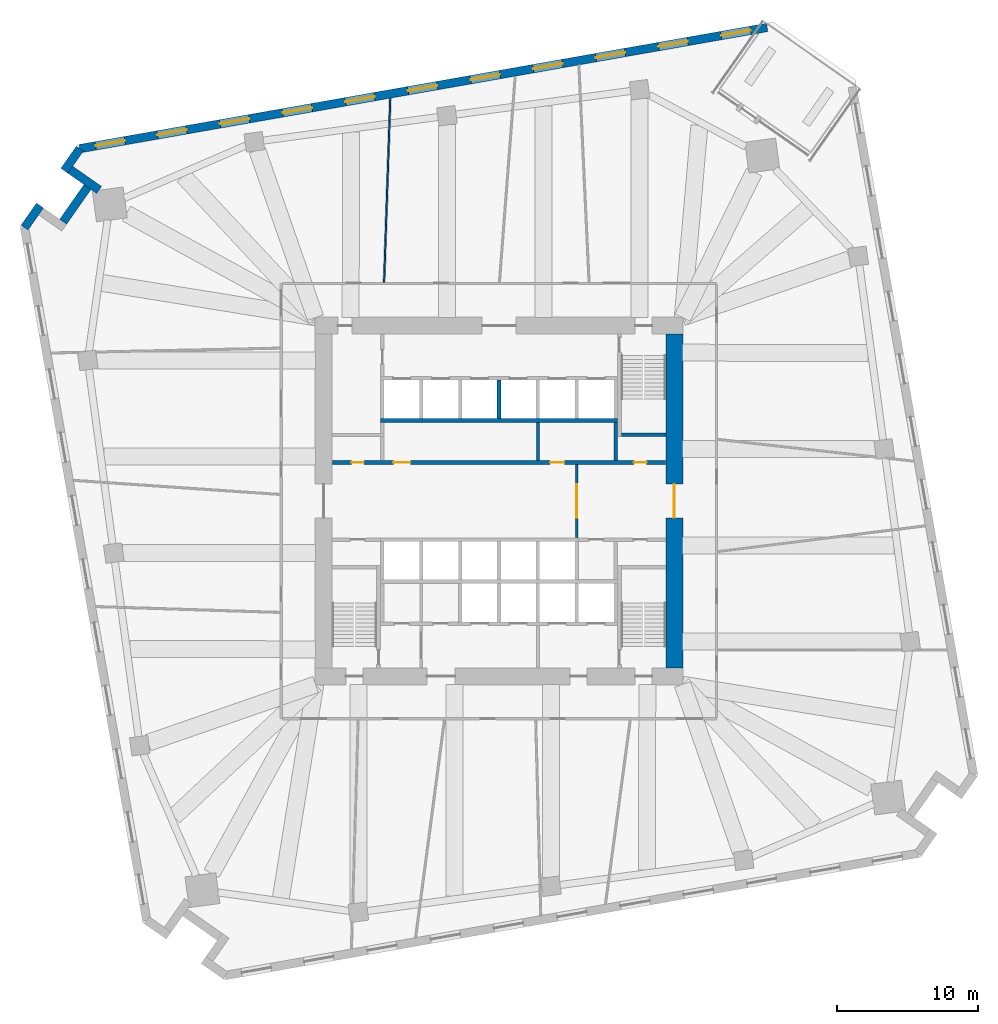
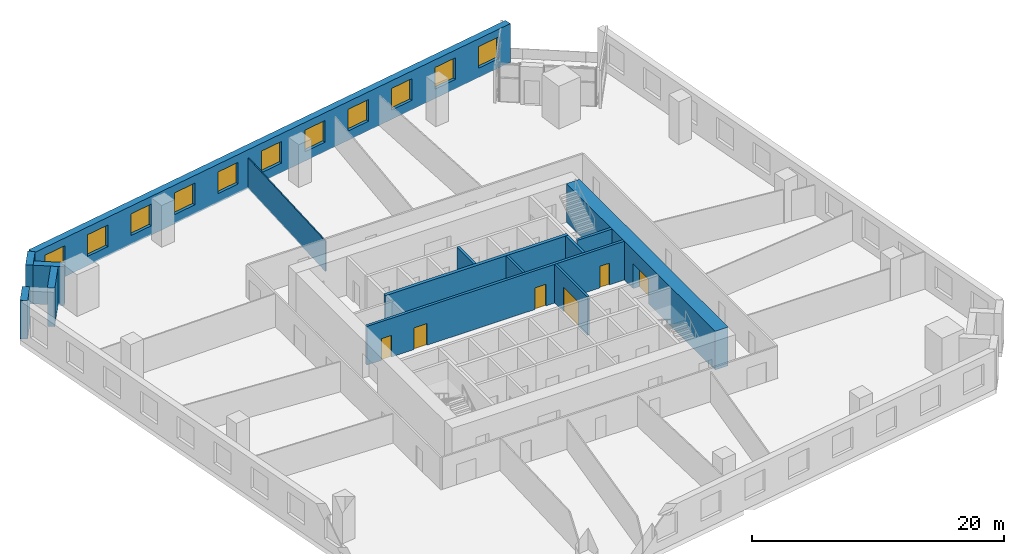
# One storey, part 6 of 10: 14 walls, 11 windows, 6 doors, 17 openings.
"""IFC4 building model written with IfcOpenShell, lengths in metres."""

from ifc_helpers import new_model, si_unit, direction, frame, frame_2d, origin, place, context, subcontext, project, spatial, rectangle, extrude, material, layer, layer_set, type_object, element, fill, save


model = new_model("IFC4")

# Units and contexts
model_context = context("Model", 3, precision=1e-05, world=origin(), true_north=direction((0.0, 1.0)))
body_context = subcontext(model_context, "Body", "Model", "MODEL_VIEW")
ifc_project = project(units=[si_unit("LENGTHUNIT", "METRE"), si_unit("AREAUNIT", "SQUARE_METRE"), si_unit("VOLUMEUNIT", "CUBIC_METRE"), si_unit("PLANEANGLEUNIT", "RADIAN"), si_unit("MASSUNIT", "GRAM", prefix="KILO")], contexts=[model_context])

# Site, building, storey
site_placement = place(None, origin())
site = spatial("IfcSite", under=ifc_project, at=site_placement, CompositionType="ELEMENT")
building_placement = place(site_placement, origin())
building = spatial("IfcBuilding", under=site, at=building_placement, Name="Dilmun Exchange Tower", CompositionType="ELEMENT")
storey_placement = place(building_placement, frame((0.0, 0.0, 63.89990234375)))
storey = spatial("IfcBuildingStorey", under=building, at=storey_placement, Name="L14", CompositionType="ELEMENT", Elevation=63.89990234375)

# Wall, opening, door
ifc_material_1 = material(Name="Concrete C40/50", Category="concrete")
ifc_layer_1 = layer(ifc_material_1, 0.199951171875)
ifc_layer_set_1 = layer_set([ifc_layer_1], Name="Concrete C40/50")
wall_type_1 = type_object("IfcWallType", Name="Core partition wall 200", PredefinedType="PARTITIONING", material=ifc_layer_set_1)
wall_1_placement = place(storey_placement, frame((5.5, -2.594970703125, 0.0), z_axis=(0.0, 0.0, 1.0), x_axis=(0.0, 1.0, 0.0)))
wall_1 = element("IfcWall", 1, at=wall_1_placement, inside=storey, type_object=wall_type_1, Name="L14 core partition wall 09", PredefinedType="PARTITIONING", context=body_context, shape_type="SweptSolid", body=[
    extrude(rectangle(XDim=5.18994140625, YDim=0.199951171875, at=frame_2d((2.594970703125, 0.0))), origin(), (0.0, 0.0, 1.0), 3.75),
])
opening_1_placement = place(wall_1_placement, frame((1.39501953125, 0.0, 0.0)))
opening_1 = element("IfcOpeningElement", 2, at=opening_1_placement, cuts=wall_1, Name="Opening CD1", PredefinedType="OPENING", context=body_context, shape_type="SweptSolid", body=[
    extrude(rectangle(XDim=2.39990234375, YDim=2.39990234375, at=frame_2d((1.199951171875, 1.199951171875))), frame((0.0, 0.10986328125, 0.0), z_axis=(0.0, -1.0, 0.0), x_axis=(1.0, 0.0, 0.0)), (0.0, 0.0, 1.0), 0.219970703125),
])
ifc_material_2 = material(Name="Fire-rated steel door set", Category="steel")
door_type_1 = type_object("IfcDoorType", Name="Core lobby door 2400x2400", OperationType="DOUBLE_DOOR_DOUBLE_SWING", PredefinedType="DOOR", material=ifc_material_2)
door_1_placement = place(opening_1_placement, origin())
door_1 = element("IfcDoor", 3, at=door_1_placement, inside=storey, type_object=door_type_1, Name="L14 door Lift lobby east", OperationType="SINGLE_SWING_LEFT", OverallHeight=2.39990234375, OverallWidth=2.39990234375, PredefinedType="DOOR", context=body_context, shape_type="SweptSolid", body=[
    extrude(rectangle(XDim=2.39990234375, YDim=2.39990234375, at=frame_2d((1.199951171875, 1.199951171875))), frame((0.0, 0.02490234375, 0.0), z_axis=(0.0, -1.0, 0.0), x_axis=(1.0, 0.0, 0.0)), (0.0, 0.0, 1.0), 0.050048828125),
])
fill(opening_1, door_1)

# Wall
wall_2_placement = place(storey_placement, frame((2.75, 2.85498046875, 0.0), z_axis=(0.0, 0.0, 1.0), x_axis=(0.0, 1.0, 0.0)))
element("IfcWall", 4, at=wall_2_placement, inside=storey, type_object=wall_type_1, Name="L14 core partition wall 12", PredefinedType="PARTITIONING", context=body_context, shape_type="SweptSolid", body=[
    extrude(rectangle(XDim=2.68994140625, YDim=0.199951171875, at=frame_2d((1.344970703125, 0.0))), origin(), (0.0, 0.0, 1.0), 3.75),
])

# Wall, openings, doors
ifc_layer_2 = layer(ifc_material_1, 0.25)
ifc_layer_set_2 = layer_set([ifc_layer_2], Name="Concrete C40/50")
wall_type_2 = type_object("IfcWallType", Name="Core partition wall 250", PredefinedType="PARTITIONING", material=ifc_layer_set_2)
wall_3_placement = place(storey_placement, frame((-11.794921875, 2.72509765625, 0.0), z_axis=(0.0, 0.0, 1.0), x_axis=(1.0, 0.0, 0.0)))
wall_3 = element("IfcWall", 5, at=wall_3_placement, inside=storey, type_object=wall_type_2, Name="L14 core partition wall 10", PredefinedType="PARTITIONING", context=body_context, shape_type="SweptSolid", body=[
    extrude(rectangle(XDim=23.58984375, YDim=0.25, at=frame_2d((11.794921875, 0.0))), origin(), (0.0, 0.0, 1.0), 3.75),
])
opening_2_placement = place(wall_3_placement, frame((21.344970703125, 0.0, 0.0)))
opening_2 = element("IfcOpeningElement", 6, at=opening_2_placement, cuts=wall_3, Name="Opening CD6", PredefinedType="OPENING", context=body_context, shape_type="SweptSolid", body=[
    extrude(rectangle(XDim=0.89990234375, YDim=2.10009765625, at=frame_2d((0.449951171875, 1.050048828125))), frame((0.0, 0.135009765625, 0.0), z_axis=(0.0, -1.0, 0.0), x_axis=(1.0, 0.0, 0.0)), (0.0, 0.0, 1.0), 0.27001953125),
])
opening_3_placement = place(wall_3_placement, frame((1.344970703125, 0.0, 0.0)))
opening_3 = element("IfcOpeningElement", 7, at=opening_3_placement, cuts=wall_3, Name="Opening CD6", PredefinedType="OPENING", context=body_context, shape_type="SweptSolid", body=[
    extrude(rectangle(XDim=0.89990234375, YDim=2.10009765625, at=frame_2d((0.449951171875, 1.050048828125))), frame((0.0, 0.135009765625, 0.0), z_axis=(0.0, -1.0, 0.0), x_axis=(1.0, 0.0, 0.0)), (0.0, 0.0, 1.0), 0.27001953125),
])
opening_4_placement = place(wall_3_placement, frame((4.320068359375, 0.0, 0.0)))
opening_4 = element("IfcOpeningElement", 8, at=opening_4_placement, cuts=wall_3, Name="Opening CD3", PredefinedType="OPENING", context=body_context, shape_type="SweptSolid", body=[
    extrude(rectangle(XDim=1.199951171875, YDim=2.10009765625, at=frame_2d((0.60009765625, 1.050048828125))), frame((0.0, 0.135009765625, 0.0), z_axis=(0.0, -1.0, 0.0), x_axis=(1.0, 0.0, 0.0)), (0.0, 0.0, 1.0), 0.27001953125),
])
opening_5_placement = place(wall_3_placement, frame((15.419921875, 0.0, 0.0)))
opening_5 = element("IfcOpeningElement", 9, at=opening_5_placement, cuts=wall_3, Name="Opening CD4", PredefinedType="OPENING", context=body_context, shape_type="SweptSolid", body=[
    extrude(rectangle(XDim=1.0, YDim=2.10009765625, at=frame_2d((0.5, 1.050048828125))), frame((0.0, 0.135009765625, 0.0), z_axis=(0.0, -1.0, 0.0), x_axis=(1.0, 0.0, 0.0)), (0.0, 0.0, 1.0), 0.27001953125),
])
door_type_2 = type_object("IfcDoorType", Name="Core room door 1000x2100", OperationType="SINGLE_SWING_LEFT", PredefinedType="DOOR", material=ifc_material_2)
door_2_placement = place(opening_5_placement, origin())
door_2 = element("IfcDoor", 10, at=door_2_placement, inside=storey, type_object=door_type_2, Name="L14 door Archive store", OperationType="SINGLE_SWING_LEFT", OverallHeight=2.10009765625, OverallWidth=1.0, PredefinedType="DOOR", context=body_context, shape_type="SweptSolid", body=[
    extrude(rectangle(XDim=1.0, YDim=2.10009765625, at=frame_2d((0.5, 1.050048828125))), frame((0.0, 0.02490234375, 0.0), z_axis=(0.0, -1.0, 0.0), x_axis=(1.0, 0.0, 0.0)), (0.0, 0.0, 1.0), 0.050048828125),
])
fill(opening_5, door_2)
door_type_3 = type_object("IfcDoorType", Name="Core room door 900x2100", OperationType="SINGLE_SWING_LEFT", PredefinedType="DOOR", material=ifc_material_2)
door_3_placement = place(opening_2_placement, origin())
door_3 = element("IfcDoor", 11, at=door_3_placement, inside=storey, type_object=door_type_3, Name="L14 door Electrical riser", OperationType="SINGLE_SWING_LEFT", OverallHeight=2.10009765625, OverallWidth=0.89990234375, PredefinedType="DOOR", context=body_context, shape_type="SweptSolid", body=[
    extrude(rectangle(XDim=0.89990234375, YDim=2.10009765625, at=frame_2d((0.449951171875, 1.050048828125))), frame((0.0, 0.02490234375, 0.0), z_axis=(0.0, -1.0, 0.0), x_axis=(1.0, 0.0, 0.0)), (0.0, 0.0, 1.0), 0.050048828125),
])
fill(opening_2, door_3)
door_4_placement = place(opening_3_placement, origin())
door_4 = element("IfcDoor", 12, at=door_4_placement, inside=storey, type_object=door_type_3, Name="L14 door Plumbing riser", OperationType="SINGLE_SWING_LEFT", OverallHeight=2.10009765625, OverallWidth=0.89990234375, PredefinedType="DOOR", context=body_context, shape_type="SweptSolid", body=[
    extrude(rectangle(XDim=0.89990234375, YDim=2.10009765625, at=frame_2d((0.449951171875, 1.050048828125))), frame((0.0, 0.02490234375, 0.0), z_axis=(0.0, -1.0, 0.0), x_axis=(1.0, 0.0, 0.0)), (0.0, 0.0, 1.0), 0.050048828125),
])
fill(opening_3, door_4)
door_type_4 = type_object("IfcDoorType", Name="Stair exit door 1200x2100", OperationType="SINGLE_SWING_LEFT", PredefinedType="DOOR", material=ifc_material_2)
door_5_placement = place(opening_4_placement, origin())
door_5 = element("IfcDoor", 13, at=door_5_placement, inside=storey, type_object=door_type_4, Name="L14 door Tenant meeting suite", OperationType="SINGLE_SWING_LEFT", OverallHeight=2.10009765625, OverallWidth=1.199951171875, PredefinedType="DOOR", context=body_context, shape_type="SweptSolid", body=[
    extrude(rectangle(XDim=1.199951171875, YDim=2.10009765625, at=frame_2d((0.60009765625, 1.050048828125))), frame((0.0, 0.02490234375, 0.0), z_axis=(0.0, -1.0, 0.0), x_axis=(1.0, 0.0, 0.0)), (0.0, 0.0, 1.0), 0.050048828125),
])
fill(opening_4, door_5)

# Wall
wall_4_placement = place(storey_placement, frame((8.25, 2.85498046875, 0.0), z_axis=(0.0, 0.0, 1.0), x_axis=(0.0, 1.0, 0.0)))
element("IfcWall", 14, at=wall_4_placement, inside=storey, type_object=wall_type_2, Name="L14 core partition wall 13", PredefinedType="PARTITIONING", context=body_context, shape_type="SweptSolid", body=[
    extrude(rectangle(XDim=2.68994140625, YDim=0.25, at=frame_2d((1.344970703125, 0.0))), origin(), (0.0, 0.0, 1.0), 3.75),
])

# Wall, opening, door
ifc_material_3 = material(Name="Concrete C80/95", Category="concrete")
ifc_layer_3 = layer(ifc_material_3, 1.199951171875)
ifc_layer_set_3 = layer_set([ifc_layer_3], Name="Concrete C80/95")
wall_type_3 = type_object("IfcWallType", Name="Core shear wall 1200 Concrete C80/95", PredefinedType="SHEAR", material=ifc_layer_set_3)
wall_5_placement = place(storey_placement, frame((12.39990234375, -11.800048828125, 0.0), z_axis=(0.0, 0.0, 1.0), x_axis=(0.0, 1.0, 0.0)))
wall_5 = element("IfcWall", 15, at=wall_5_placement, inside=storey, type_object=wall_type_3, Name="L14 core shear wall E", PredefinedType="SHEAR", context=body_context, shape_type="SweptSolid", body=[
    extrude(rectangle(XDim=23.60009765625, YDim=1.199951171875, at=frame_2d((11.800048828125, 0.0))), origin(), (0.0, 0.0, 1.0), 3.75),
])
opening_6_placement = place(wall_5_placement, frame((10.60009765625, 0.0, 0.0)))
opening_6 = element("IfcOpeningElement", 16, at=opening_6_placement, cuts=wall_5, Name="Opening CD1", PredefinedType="OPENING", context=body_context, shape_type="SweptSolid", body=[
    extrude(rectangle(XDim=2.39990234375, YDim=2.39990234375, at=frame_2d((1.199951171875, 1.199951171875))), frame((0.0, 0.60986328125, 0.0), z_axis=(0.0, -1.0, 0.0), x_axis=(1.0, 0.0, 0.0)), (0.0, 0.0, 1.0), 1.219970703125),
])
door_6_placement = place(opening_6_placement, origin())
door_6 = element("IfcDoor", 17, at=door_6_placement, inside=storey, type_object=door_type_1, Name="L14 door Central lift lobby", OperationType="SINGLE_SWING_LEFT", OverallHeight=2.39990234375, OverallWidth=2.39990234375, PredefinedType="DOOR", context=body_context, shape_type="SweptSolid", body=[
    extrude(rectangle(XDim=2.39990234375, YDim=2.39990234375, at=frame_2d((1.199951171875, 1.199951171875))), frame((0.0, 0.02490234375, 0.0), z_axis=(0.0, -1.0, 0.0), x_axis=(1.0, 0.0, 0.0)), (0.0, 0.0, 1.0), 0.050048828125),
])
fill(opening_6, door_6)

# Walls
ifc_layer_4 = layer(ifc_material_1, 0.300048828125)
ifc_layer_set_4 = layer_set([ifc_layer_4], Name="Concrete C40/50")
wall_type_4 = type_object("IfcWallType", Name="Lift shaft shared wall 300", PredefinedType="SOLIDWALL", material=ifc_layer_set_4)
wall_6_placement = place(storey_placement, frame((-8.375, 5.699951171875, 0.0), z_axis=(0.0, 0.0, 1.0), x_axis=(1.0, 0.0, 0.0)))
element("IfcWall", 18, at=wall_6_placement, inside=storey, type_object=wall_type_4, Name="L14 lift shaft rear wall N", PredefinedType="SOLIDWALL", context=body_context, shape_type="SweptSolid", body=[
    extrude(rectangle(XDim=16.75, YDim=0.300048828125, at=frame_2d((8.375, 0.0))), origin(), (0.0, 0.0, 1.0), 3.75),
])
ifc_layer_5 = layer(ifc_material_1, 0.25)
ifc_layer_set_5 = layer_set([ifc_layer_5], Name="Concrete C40/50")
wall_type_5 = type_object("IfcWallType", Name="Lift shaft wall 250", PredefinedType="SOLIDWALL", material=ifc_layer_set_5)
wall_7_placement = place(storey_placement, frame((0.0, 5.85009765625, 0.0), z_axis=(0.0, 0.0, 1.0), x_axis=(0.0, 1.0, 0.0)))
element("IfcWall", 19, at=wall_7_placement, inside=storey, type_object=wall_type_5, Name="L14 lift shaft divider N23", PredefinedType="SOLIDWALL", context=body_context, shape_type="SweptSolid", body=[
    extrude(rectangle(XDim=2.699951171875, YDim=0.25, at=frame_2d((1.35009765625, 0.0))), origin(), (0.0, 0.0, 1.0), 3.75),
])
ifc_material_4 = material(Name="Partition 100")
ifc_layer_6 = layer(ifc_material_4, 0.10009765625)
ifc_layer_set_6 = layer_set([ifc_layer_6], Name="Partition 100")
wall_type_6 = type_object("IfcWallType", Name="Partition 100", PredefinedType="PARTITIONING", material=ifc_layer_set_6)
wall_8_placement = place(storey_placement, frame((-8.12841796875, 15.476806640625, 0.0), z_axis=(0.0, 0.0, 1.0), x_axis=(0.033530755766, 0.99943768611, 0.0)))
element("IfcWall", 20, at=wall_8_placement, inside=storey, type_object=wall_type_6, Name="Partition", PredefinedType="PARTITIONING", context=body_context, shape_type="SweptSolid", body=[
    extrude(rectangle(XDim=13.02587890625, YDim=0.10009765625, at=frame_2d((6.512939453125, 0.0))), origin(), (0.0, 0.0, 1.0), 2.9501953125),
])

# Wall, openings, windows
ifc_material_5 = material(Name="Precast concrete C50/60", Category="concrete")
ifc_layer_7 = layer(ifc_material_5, 0.60009765625)
ifc_layer_set_7 = layer_set([ifc_layer_7], Name="Precast concrete C50/60")
wall_type_7 = type_object("IfcWallType", Name="Precast stone-clad wall 600", PredefinedType="STANDARD", material=ifc_layer_set_7)
wall_9_placement = place(storey_placement, frame((18.970458984375, 33.503173828125, 0.0), z_axis=(0.0, 0.0, 1.0), x_axis=(-0.984807939945, -0.173647117517, 0.0)))
wall_9 = element("IfcWall", 21, at=wall_9_placement, inside=storey, type_object=wall_type_7, Name="Facade wall L14-03", PredefinedType="STANDARD", context=body_context, shape_type="SweptSolid", body=[
    extrude(rectangle(XDim=49.375732421875, YDim=0.60009765625, at=frame_2d((24.68798828125, 0.0))), origin(), (0.0, 0.0, 1.0), 3.75),
])
opening_7_placement = place(wall_9_placement, frame((1.199951171875, 0.0, 0.89990234375)))
opening_7 = element("IfcOpeningElement", 22, at=opening_7_placement, cuts=wall_9, Name="Opening W210-210", PredefinedType="OPENING", context=body_context, shape_type="SweptSolid", body=[
    extrude(rectangle(XDim=2.10009765625, YDim=2.10009765625, at=frame_2d((1.050048828125, 1.050048828125))), frame((0.0, 0.31005859375, 0.0), z_axis=(0.0, -1.0, 0.0), x_axis=(1.0, 0.0, 0.0)), (0.0, 0.0, 1.0), 0.6201171875),
])
opening_8_placement = place(wall_9_placement, frame((5.699951171875, 0.0, 0.89990234375)))
opening_8 = element("IfcOpeningElement", 23, at=opening_8_placement, cuts=wall_9, Name="Opening W210-210", PredefinedType="OPENING", context=body_context, shape_type="SweptSolid", body=[
    extrude(rectangle(XDim=2.10009765625, YDim=2.10009765625, at=frame_2d((1.050048828125, 1.050048828125))), frame((0.0, 0.31005859375, 0.0), z_axis=(0.0, -1.0, 0.0), x_axis=(1.0, 0.0, 0.0)), (0.0, 0.0, 1.0), 0.6201171875),
])
opening_9_placement = place(wall_9_placement, frame((10.199951171875, 0.0, 0.89990234375)))
opening_9 = element("IfcOpeningElement", 24, at=opening_9_placement, cuts=wall_9, Name="Opening W210-210", PredefinedType="OPENING", context=body_context, shape_type="SweptSolid", body=[
    extrude(rectangle(XDim=2.10009765625, YDim=2.10009765625, at=frame_2d((1.050048828125, 1.050048828125))), frame((0.0, 0.31005859375, 0.0), z_axis=(0.0, -1.0, 0.0), x_axis=(1.0, 0.0, 0.0)), (0.0, 0.0, 1.0), 0.6201171875),
])
opening_10_placement = place(wall_9_placement, frame((14.699951171875, 0.0, 0.89990234375)))
opening_10 = element("IfcOpeningElement", 25, at=opening_10_placement, cuts=wall_9, Name="Opening W210-210", PredefinedType="OPENING", context=body_context, shape_type="SweptSolid", body=[
    extrude(rectangle(XDim=2.10009765625, YDim=2.10009765625, at=frame_2d((1.050048828125, 1.050048828125))), frame((0.0, 0.31005859375, 0.0), z_axis=(0.0, -1.0, 0.0), x_axis=(1.0, 0.0, 0.0)), (0.0, 0.0, 1.0), 0.6201171875),
])
opening_11_placement = place(wall_9_placement, frame((19.199951171875, 0.0, 0.89990234375)))
opening_11 = element("IfcOpeningElement", 26, at=opening_11_placement, cuts=wall_9, Name="Opening W210-210", PredefinedType="OPENING", context=body_context, shape_type="SweptSolid", body=[
    extrude(rectangle(XDim=2.10009765625, YDim=2.10009765625, at=frame_2d((1.050048828125, 1.050048828125))), frame((0.0, 0.31005859375, 0.0), z_axis=(0.0, -1.0, 0.0), x_axis=(1.0, 0.0, 0.0)), (0.0, 0.0, 1.0), 0.6201171875),
])
opening_12_placement = place(wall_9_placement, frame((23.699951171875, 0.0, 0.89990234375)))
opening_12 = element("IfcOpeningElement", 27, at=opening_12_placement, cuts=wall_9, Name="Opening W210-210", PredefinedType="OPENING", context=body_context, shape_type="SweptSolid", body=[
    extrude(rectangle(XDim=2.10009765625, YDim=2.10009765625, at=frame_2d((1.050048828125, 1.050048828125))), frame((0.0, 0.31005859375, 0.0), z_axis=(0.0, -1.0, 0.0), x_axis=(1.0, 0.0, 0.0)), (0.0, 0.0, 1.0), 0.6201171875),
])
opening_13_placement = place(wall_9_placement, frame((28.199951171875, 0.0, 0.89990234375)))
opening_13 = element("IfcOpeningElement", 28, at=opening_13_placement, cuts=wall_9, Name="Opening W210-210", PredefinedType="OPENING", context=body_context, shape_type="SweptSolid", body=[
    extrude(rectangle(XDim=2.10009765625, YDim=2.10009765625, at=frame_2d((1.050048828125, 1.050048828125))), frame((0.0, 0.31005859375, 0.0), z_axis=(0.0, -1.0, 0.0), x_axis=(1.0, 0.0, 0.0)), (0.0, 0.0, 1.0), 0.6201171875),
])
opening_14_placement = place(wall_9_placement, frame((32.699951171875, 0.0, 0.89990234375)))
opening_14 = element("IfcOpeningElement", 29, at=opening_14_placement, cuts=wall_9, Name="Opening W210-210", PredefinedType="OPENING", context=body_context, shape_type="SweptSolid", body=[
    extrude(rectangle(XDim=2.10009765625, YDim=2.10009765625, at=frame_2d((1.050048828125, 1.050048828125))), frame((0.0, 0.31005859375, 0.0), z_axis=(0.0, -1.0, 0.0), x_axis=(1.0, 0.0, 0.0)), (0.0, 0.0, 1.0), 0.6201171875),
])
opening_15_placement = place(wall_9_placement, frame((37.199951171875, 0.0, 0.89990234375)))
opening_15 = element("IfcOpeningElement", 30, at=opening_15_placement, cuts=wall_9, Name="Opening W210-210", PredefinedType="OPENING", context=body_context, shape_type="SweptSolid", body=[
    extrude(rectangle(XDim=2.10009765625, YDim=2.10009765625, at=frame_2d((1.050048828125, 1.050048828125))), frame((0.0, 0.31005859375, 0.0), z_axis=(0.0, -1.0, 0.0), x_axis=(1.0, 0.0, 0.0)), (0.0, 0.0, 1.0), 0.6201171875),
])
opening_16_placement = place(wall_9_placement, frame((41.699951171875, 0.0, 0.89990234375)))
opening_16 = element("IfcOpeningElement", 31, at=opening_16_placement, cuts=wall_9, Name="Opening W210-210", PredefinedType="OPENING", context=body_context, shape_type="SweptSolid", body=[
    extrude(rectangle(XDim=2.10009765625, YDim=2.10009765625, at=frame_2d((1.050048828125, 1.050048828125))), frame((0.0, 0.31005859375, 0.0), z_axis=(0.0, -1.0, 0.0), x_axis=(1.0, 0.0, 0.0)), (0.0, 0.0, 1.0), 0.6201171875),
])
opening_17_placement = place(wall_9_placement, frame((46.137939453125, 0.0, 0.89990234375)))
opening_17 = element("IfcOpeningElement", 32, at=opening_17_placement, cuts=wall_9, Name="Opening W210-210", PredefinedType="OPENING", context=body_context, shape_type="SweptSolid", body=[
    extrude(rectangle(XDim=2.10009765625, YDim=2.10009765625, at=frame_2d((1.050048828125, 1.050048828125))), frame((0.0, 0.31005859375, 0.0), z_axis=(0.0, -1.0, 0.0), x_axis=(1.0, 0.0, 0.0)), (0.0, 0.0, 1.0), 0.6201171875),
])
ifc_material_6 = material(Name="Clear low-emissivity glass in aluminium frame", Category="aluminium")
window_type = type_object("IfcWindowType", Name="Punched window 2100 x 2100", PartitioningType="DOUBLE_PANEL_VERTICAL", PredefinedType="WINDOW", material=ifc_material_6)
window_1_placement = place(opening_7_placement, origin())
window_1 = element("IfcWindow", 33, at=window_1_placement, inside=storey, type_object=window_type, Name="Window 4.1", OverallHeight=2.10009765625, OverallWidth=2.10009765625, PartitioningType="SINGLE_PANEL", PredefinedType="WINDOW", context=body_context, shape_type="SweptSolid", body=[
    extrude(rectangle(XDim=2.10009765625, YDim=2.10009765625, at=frame_2d((1.050048828125, 1.050048828125))), frame((0.0, 0.030029296875, 0.0), z_axis=(0.0, -1.0, 0.0), x_axis=(1.0, 0.0, 0.0)), (0.0, 0.0, 1.0), 0.06005859375),
])
fill(opening_7, window_1)
window_2_placement = place(opening_8_placement, origin())
window_2 = element("IfcWindow", 34, at=window_2_placement, inside=storey, type_object=window_type, Name="Window 4.2", OverallHeight=2.10009765625, OverallWidth=2.10009765625, PartitioningType="SINGLE_PANEL", PredefinedType="WINDOW", context=body_context, shape_type="SweptSolid", body=[
    extrude(rectangle(XDim=2.10009765625, YDim=2.10009765625, at=frame_2d((1.050048828125, 1.050048828125))), frame((0.0, 0.030029296875, 0.0), z_axis=(0.0, -1.0, 0.0), x_axis=(1.0, 0.0, 0.0)), (0.0, 0.0, 1.0), 0.06005859375),
])
fill(opening_8, window_2)
window_3_placement = place(opening_9_placement, origin())
window_3 = element("IfcWindow", 35, at=window_3_placement, inside=storey, type_object=window_type, Name="Window 4.3", OverallHeight=2.10009765625, OverallWidth=2.10009765625, PartitioningType="SINGLE_PANEL", PredefinedType="WINDOW", context=body_context, shape_type="SweptSolid", body=[
    extrude(rectangle(XDim=2.10009765625, YDim=2.10009765625, at=frame_2d((1.050048828125, 1.050048828125))), frame((0.0, 0.030029296875, 0.0), z_axis=(0.0, -1.0, 0.0), x_axis=(1.0, 0.0, 0.0)), (0.0, 0.0, 1.0), 0.06005859375),
])
fill(opening_9, window_3)
window_4_placement = place(opening_10_placement, origin())
window_4 = element("IfcWindow", 36, at=window_4_placement, inside=storey, type_object=window_type, Name="Window 4.4", OverallHeight=2.10009765625, OverallWidth=2.10009765625, PartitioningType="SINGLE_PANEL", PredefinedType="WINDOW", context=body_context, shape_type="SweptSolid", body=[
    extrude(rectangle(XDim=2.10009765625, YDim=2.10009765625, at=frame_2d((1.050048828125, 1.050048828125))), frame((0.0, 0.030029296875, 0.0), z_axis=(0.0, -1.0, 0.0), x_axis=(1.0, 0.0, 0.0)), (0.0, 0.0, 1.0), 0.06005859375),
])
fill(opening_10, window_4)
window_5_placement = place(opening_11_placement, origin())
window_5 = element("IfcWindow", 37, at=window_5_placement, inside=storey, type_object=window_type, Name="Window 4.5", OverallHeight=2.10009765625, OverallWidth=2.10009765625, PartitioningType="SINGLE_PANEL", PredefinedType="WINDOW", context=body_context, shape_type="SweptSolid", body=[
    extrude(rectangle(XDim=2.10009765625, YDim=2.10009765625, at=frame_2d((1.050048828125, 1.050048828125))), frame((0.0, 0.030029296875, 0.0), z_axis=(0.0, -1.0, 0.0), x_axis=(1.0, 0.0, 0.0)), (0.0, 0.0, 1.0), 0.06005859375),
])
fill(opening_11, window_5)
window_6_placement = place(opening_12_placement, origin())
window_6 = element("IfcWindow", 38, at=window_6_placement, inside=storey, type_object=window_type, Name="Window 4.6", OverallHeight=2.10009765625, OverallWidth=2.10009765625, PartitioningType="SINGLE_PANEL", PredefinedType="WINDOW", context=body_context, shape_type="SweptSolid", body=[
    extrude(rectangle(XDim=2.10009765625, YDim=2.10009765625, at=frame_2d((1.050048828125, 1.050048828125))), frame((0.0, 0.030029296875, 0.0), z_axis=(0.0, -1.0, 0.0), x_axis=(1.0, 0.0, 0.0)), (0.0, 0.0, 1.0), 0.06005859375),
])
fill(opening_12, window_6)
window_7_placement = place(opening_13_placement, origin())
window_7 = element("IfcWindow", 39, at=window_7_placement, inside=storey, type_object=window_type, Name="Window 4.7", OverallHeight=2.10009765625, OverallWidth=2.10009765625, PartitioningType="SINGLE_PANEL", PredefinedType="WINDOW", context=body_context, shape_type="SweptSolid", body=[
    extrude(rectangle(XDim=2.10009765625, YDim=2.10009765625, at=frame_2d((1.050048828125, 1.050048828125))), frame((0.0, 0.030029296875, 0.0), z_axis=(0.0, -1.0, 0.0), x_axis=(1.0, 0.0, 0.0)), (0.0, 0.0, 1.0), 0.06005859375),
])
fill(opening_13, window_7)
window_8_placement = place(opening_14_placement, origin())
window_8 = element("IfcWindow", 40, at=window_8_placement, inside=storey, type_object=window_type, Name="Window 4.8", OverallHeight=2.10009765625, OverallWidth=2.10009765625, PartitioningType="SINGLE_PANEL", PredefinedType="WINDOW", context=body_context, shape_type="SweptSolid", body=[
    extrude(rectangle(XDim=2.10009765625, YDim=2.10009765625, at=frame_2d((1.050048828125, 1.050048828125))), frame((0.0, 0.030029296875, 0.0), z_axis=(0.0, -1.0, 0.0), x_axis=(1.0, 0.0, 0.0)), (0.0, 0.0, 1.0), 0.06005859375),
])
fill(opening_14, window_8)
window_9_placement = place(opening_15_placement, origin())
window_9 = element("IfcWindow", 41, at=window_9_placement, inside=storey, type_object=window_type, Name="Window 4.9", OverallHeight=2.10009765625, OverallWidth=2.10009765625, PartitioningType="SINGLE_PANEL", PredefinedType="WINDOW", context=body_context, shape_type="SweptSolid", body=[
    extrude(rectangle(XDim=2.10009765625, YDim=2.10009765625, at=frame_2d((1.050048828125, 1.050048828125))), frame((0.0, 0.030029296875, 0.0), z_axis=(0.0, -1.0, 0.0), x_axis=(1.0, 0.0, 0.0)), (0.0, 0.0, 1.0), 0.06005859375),
])
fill(opening_15, window_9)
window_10_placement = place(opening_16_placement, origin())
window_10 = element("IfcWindow", 42, at=window_10_placement, inside=storey, type_object=window_type, Name="Window 4.10", OverallHeight=2.10009765625, OverallWidth=2.10009765625, PartitioningType="SINGLE_PANEL", PredefinedType="WINDOW", context=body_context, shape_type="SweptSolid", body=[
    extrude(rectangle(XDim=2.10009765625, YDim=2.10009765625, at=frame_2d((1.050048828125, 1.050048828125))), frame((0.0, 0.030029296875, 0.0), z_axis=(0.0, -1.0, 0.0), x_axis=(1.0, 0.0, 0.0)), (0.0, 0.0, 1.0), 0.06005859375),
])
fill(opening_16, window_10)
window_11_placement = place(opening_17_placement, origin())
window_11 = element("IfcWindow", 43, at=window_11_placement, inside=storey, type_object=window_type, Name="Window 4.11", OverallHeight=2.10009765625, OverallWidth=2.10009765625, PartitioningType="SINGLE_PANEL", PredefinedType="WINDOW", context=body_context, shape_type="SweptSolid", body=[
    extrude(rectangle(XDim=2.10009765625, YDim=2.10009765625, at=frame_2d((1.050048828125, 1.050048828125))), frame((0.0, 0.030029296875, 0.0), z_axis=(0.0, -1.0, 0.0), x_axis=(1.0, 0.0, 0.0)), (0.0, 0.0, 1.0), 0.06005859375),
])
fill(opening_17, window_11)

# Walls
wall_10_placement = place(storey_placement, frame((-29.6552734375, 24.92919921875, 0.0), z_axis=(0.0, 0.0, 1.0), x_axis=(-0.573539498447, -0.819177907247, 0.0)))
element("IfcWall", 44, at=wall_10_placement, inside=storey, type_object=wall_type_7, Name="Facade wall L14-04", PredefinedType="STANDARD", context=body_context, shape_type="SweptSolid", body=[
    extrude(rectangle(XDim=1.911376953125, YDim=0.60009765625, at=frame_2d((0.95556640625, 0.0))), origin(), (0.0, 0.0, 1.0), 3.75),
])
wall_11_placement = place(storey_placement, frame((-30.33349609375, 23.437255859375, 0.0), z_axis=(0.0, 0.0, 1.0), x_axis=(0.819144688946, -0.573586940727, 0.0)))
element("IfcWall", 45, at=wall_11_placement, inside=storey, type_object=wall_type_7, Name="Facade wall L14-05", PredefinedType="STANDARD", context=body_context, shape_type="SweptSolid", body=[
    extrude(rectangle(XDim=2.49853515625, YDim=0.60009765625, at=frame_2d((1.249267578125, 0.0))), origin(), (0.0, 0.0, 1.0), 3.75),
])
wall_12_placement = place(storey_placement, frame((-29.113037109375, 22.21630859375, 0.0), z_axis=(0.0, 0.0, 1.0), x_axis=(-0.573615254604, -0.819124862085, 0.0)))
element("IfcWall", 46, at=wall_12_placement, inside=storey, type_object=wall_type_7, Name="Facade wall L14-06", PredefinedType="STANDARD", context=body_context, shape_type="SweptSolid", body=[
    extrude(rectangle(XDim=3.000244140625, YDim=0.60009765625, at=frame_2d((1.5, 0.0))), origin(), (0.0, 0.0, 1.0), 3.75),
])
wall_13_placement = place(storey_placement, frame((-32.47216796875, 20.906005859375, 0.0), z_axis=(0.0, 0.0, 1.0), x_axis=(-0.573599518014, -0.81913588185, 0.0)))
element("IfcWall", 47, at=wall_13_placement, inside=storey, type_object=wall_type_7, Name="Facade wall L14-08", PredefinedType="STANDARD", context=body_context, shape_type="SweptSolid", body=[
    extrude(rectangle(XDim=1.9111328125, YDim=0.60009765625, at=frame_2d((0.95556640625, 0.0))), origin(), (0.0, 0.0, 1.0), 3.75),
])
ifc_layer_8 = layer(ifc_material_1, 0.25)
ifc_layer_set_8 = layer_set([ifc_layer_8], Name="Concrete C40/50")
wall_type_8 = type_object("IfcWallType", Name="Stair end wall 250", PredefinedType="SOLIDWALL", material=ifc_layer_set_8)
wall_14_placement = place(storey_placement, frame((8.64990234375, 4.675048828125, 0.0), z_axis=(0.0, 0.0, 1.0), x_axis=(1.0, 0.0, 0.0)))
element("IfcWall", 48, at=wall_14_placement, inside=storey, type_object=wall_type_8, Name="L14 ST1 far wall", PredefinedType="SOLIDWALL", context=body_context, shape_type="SweptSolid", body=[
    extrude(rectangle(XDim=3.150146484375, YDim=0.25, at=frame_2d((1.5751953125, 0.0))), origin(), (0.0, 0.0, 1.0), 3.75),
])

save(model, "model.ifc")
